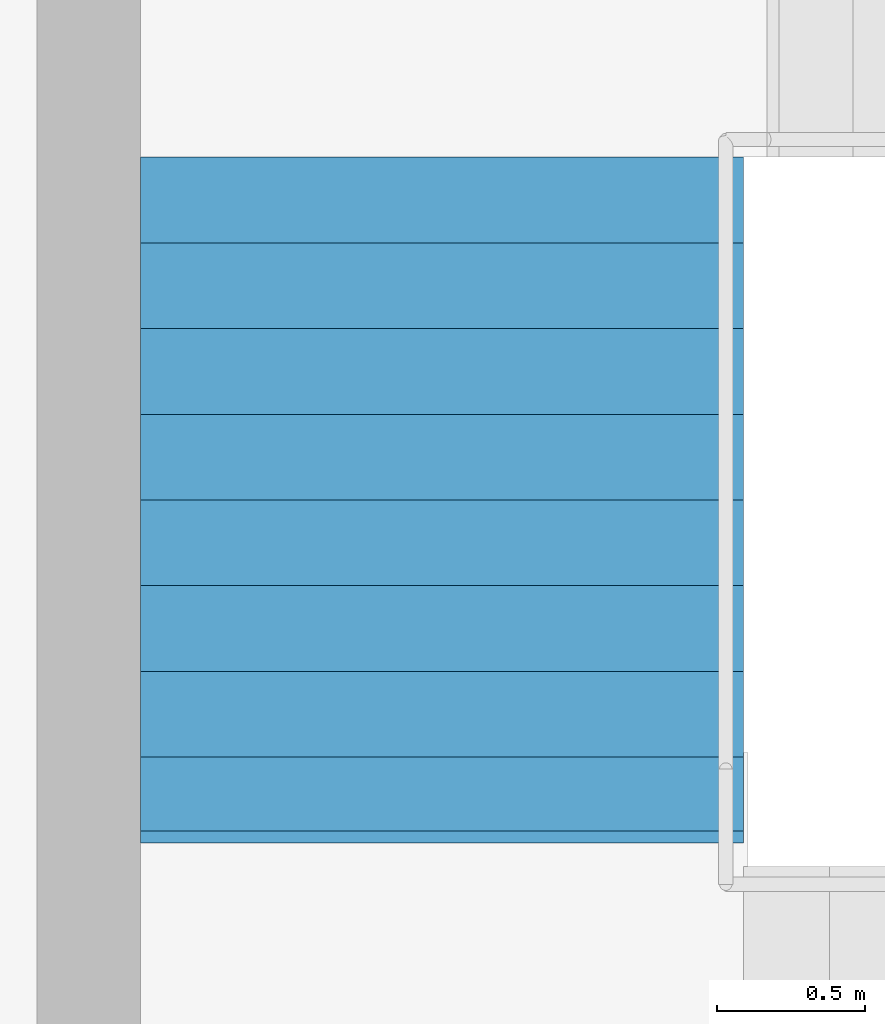
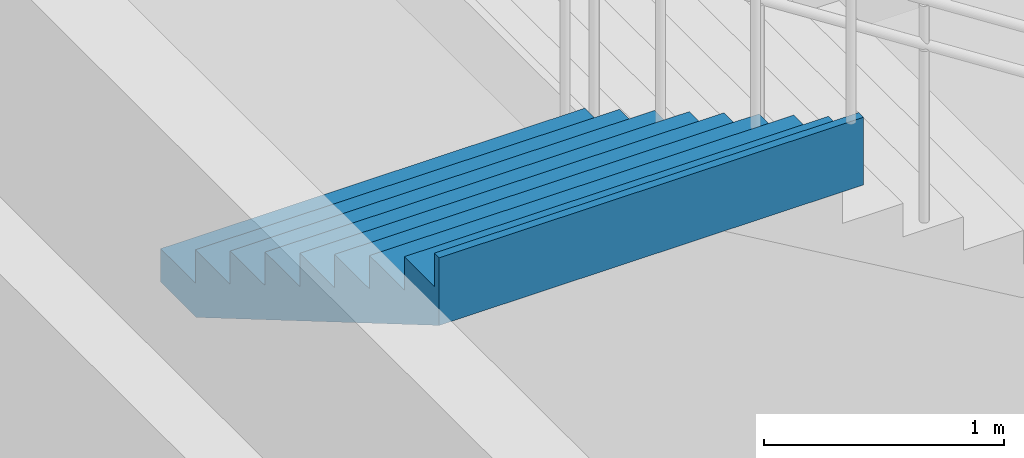
# One storey, part 39 of 46: 1 stair flight, 1 element without a shape of its own.
"""IFC4 building model written with IfcOpenShell, lengths in metres."""

import ifcopenshell
import ifcopenshell.guid

model = None  # the IFC model being written
_history = None  # IfcOwnerHistory: only IFC2X3 demands one
_inside = {}  # id of a spatial element -> (the spatial element, [elements in it])
_under = {}  # id of a project, library or spatial element -> (it, [spatial elements below it])
_declared = {}  # id of a project -> (the project, [libraries it declares])
_typed = {}  # id of a type object -> (the type object, [elements of that type])
_made_of = {}  # id of a material, layer set ... -> (it, [elements and type objects made of it])


def new_model(schema):
    """Start an empty IFC model of exactly this schema.

    Asked for "IFC4X3", IfcOpenShell would pick the latest addendum, in which some entities
    have other attributes; the version numbers below select the first issue.
    IFC2X3 requires an IfcOwnerHistory on every rooted entity: one is made here for all.
    """
    global model, _history
    if schema == "IFC4X3":
        model = ifcopenshell.file(schema_version=(4, 3, 0, 0))
    else:
        model = ifcopenshell.file(schema=schema)
    _inside.clear()
    _under.clear()
    _declared.clear()
    _typed.clear()
    _made_of.clear()
    _history = None
    if model.schema == "IFC2X3":
        org = make("IfcOrganization", Name="unknown")
        user = make(
            "IfcPersonAndOrganization",
            ThePerson=make("IfcPerson", FamilyName="unknown"),
            TheOrganization=org,
        )
        app = make(
            "IfcApplication",
            ApplicationDeveloper=org,
            Version="unknown",
            ApplicationFullName="unknown",
            ApplicationIdentifier="unknown",
        )
        _history = make(
            "IfcOwnerHistory",
            OwningUser=user,
            OwningApplication=app,
            ChangeAction="ADDED",
            CreationDate=0,
        )
    return model


def make(cls, **values):
    """One entity of the class cls with the attributes given. An attribute that is None is left unset."""
    return model.create_entity(
        cls, **{name: value for name, value in values.items() if value is not None}
    )


def rooted(cls, **values):
    """An entity with a GlobalId (a new one), such as an element, a storey or a relation."""
    return make(cls, GlobalId=ifcopenshell.guid.new(), OwnerHistory=_history, **values)


def si_unit(unit_type, name, prefix=None):
    """IfcSIUnit, for example si_unit("LENGTHUNIT", "METRE", prefix="MILLI")."""
    return make("IfcSIUnit", UnitType=unit_type, Prefix=prefix, Name=name)


def assignment(units):
    """IfcUnitAssignment: the units of a project."""
    return None if units is None else make("IfcUnitAssignment", Units=units)


def point(xyz):
    """IfcCartesianPoint."""
    return None if xyz is None else make("IfcCartesianPoint", Coordinates=xyz)


def direction(xyz):
    """IfcDirection."""
    return None if xyz is None else make("IfcDirection", DirectionRatios=xyz)


def frame(location, z_axis=None, x_axis=None):
    """IfcAxis2Placement3D, a coordinate frame: its origin and axes. An axis left out is left unset."""
    return make(
        "IfcAxis2Placement3D",
        Location=point(location),
        Axis=direction(z_axis),
        RefDirection=direction(x_axis),
    )


def origin():
    """The frame at (0, 0, 0) with its axes left unset."""
    return frame((0.0, 0.0, 0.0))


def place(relative_to, where):
    """IfcLocalPlacement: puts the frame where relative to a parent placement (None: the world)."""
    return make(
        "IfcLocalPlacement", PlacementRelTo=relative_to, RelativePlacement=where
    )


def context(
    kind, dimensions, precision=None, world=None, true_north=None, identifier=None
):
    """IfcGeometricRepresentationContext, for example the 3D "Model" context."""
    return make(
        "IfcGeometricRepresentationContext",
        ContextIdentifier=identifier,
        ContextType=kind,
        CoordinateSpaceDimension=dimensions,
        Precision=precision,
        WorldCoordinateSystem=world,
        TrueNorth=true_north,
    )


def subcontext(parent, identifier, kind, view, scale=None):
    """IfcGeometricRepresentationSubContext, for example "Body" below "Model"."""
    return make(
        "IfcGeometricRepresentationSubContext",
        ContextIdentifier=identifier,
        ContextType=kind,
        ParentContext=parent,
        TargetScale=scale,
        TargetView=view,
    )


def project(units=None, contexts=None):
    """IfcProject with its units and contexts."""
    return rooted(
        "IfcProject",
        Name="project",
        RepresentationContexts=contexts,
        UnitsInContext=assignment(units),
    )


def spatial(cls, under=None, at=None, **own):
    """A site, building, storey or space (cls), placed at a placement, below another one or the project."""
    s = rooted(cls, ObjectPlacement=at, **own)
    if under is not None:
        _under.setdefault(under.id(), (under, []))[1].append(s)
    return s


def point_list(points):
    """IfcCartesianPointList2D or 3D."""
    cls = (
        "IfcCartesianPointList2D" if len(points[0]) == 2 else "IfcCartesianPointList3D"
    )
    return make(cls, CoordList=points)


def triangles(points, corners, closed=None, point_numbers=None):
    """IfcTriangulatedFaceSet: each triangle names its three corners, points numbered from 1."""
    return make(
        "IfcTriangulatedFaceSet",
        Coordinates=point_list(points),
        Closed=closed,
        CoordIndex=corners,
        PnIndex=point_numbers,
    )


def shape(context_of_items, identifier, shape_type, items):
    """IfcShapeRepresentation: the items that make up one representation, for example the "Body"."""
    return make(
        "IfcShapeRepresentation",
        ContextOfItems=context_of_items,
        RepresentationIdentifier=identifier,
        RepresentationType=shape_type,
        Items=items,
    )


def material(Name=None, Category=None):
    """IfcMaterial."""
    return make("IfcMaterial", Name=Name, Category=Category)


def made_of(thing, what):
    """Note that an element or type object is made of a material, layer set ...; save() writes the relation."""
    if what is not None:
        _made_of.setdefault(what.id(), (what, []))[1].append(thing)
    return thing


def type_object(cls, material=None, **own):
    """A type object (cls), such as IfcWallType, which elements share."""
    return made_of(rooted(cls, **own), material)


def element(
    cls,
    number,
    at=None,
    inside=None,
    cuts=None,
    type_object=None,
    material=None,
    context=None,
    identifier="Body",
    shape_type=None,
    held_by="IfcProductDefinitionShape",
    body=None,
    shapes=None,
    **own,
):
    """One element of the class cls, such as IfcWall. Its Tag is "e" and its number.

    at: its placement. inside: the storey or other place that contains it. cuts: it is an
    opening in that element (IfcRelVoidsElement). A single representation is given by context,
    identifier, shape_type and body (its items); several are given by shapes. held_by: the class
    of the entity that holds the representations. save() writes the other relations.
    """
    e = rooted(cls, Tag="e%d" % number, ObjectPlacement=at, **own)
    if body is not None:
        shapes = [shape(context, identifier, shape_type, body)]
    if shapes is not None:
        e.Representation = make(held_by, Representations=shapes)
    if inside is not None:
        _inside.setdefault(inside.id(), (inside, []))[1].append(e)
    if cuts is not None:
        rooted(
            "IfcRelVoidsElement", RelatingBuildingElement=cuts, RelatedOpeningElement=e
        )
    if type_object is not None:
        _typed.setdefault(type_object.id(), (type_object, []))[1].append(e)
    return made_of(e, material)


def aggregate(whole, parts):
    """IfcRelAggregates: a whole, such as a stair, and the parts it consists of."""
    return rooted("IfcRelAggregates", RelatingObject=whole, RelatedObjects=parts)


def save(model, path):
    """Write the relations noted so far, then the file.

    IfcRelAggregates (storeys below a building ...), IfcRelContainedInSpatialStructure (elements
    in a storey), IfcRelDefinesByType, IfcRelAssociatesMaterial and IfcRelDeclares: one each for
    every whole, place, type object, material and project.
    """
    for whole, parts in _under.values():
        aggregate(whole, parts)
    for where, things in _inside.values():
        rooted(
            "IfcRelContainedInSpatialStructure",
            RelatedElements=things,
            RelatingStructure=where,
        )
    for kind, things in _typed.values():
        rooted("IfcRelDefinesByType", RelatedObjects=things, RelatingType=kind)
    for what, things in _made_of.values():
        rooted("IfcRelAssociatesMaterial", RelatedObjects=things, RelatingMaterial=what)
    for by, libraries in _declared.values():
        rooted("IfcRelDeclares", RelatingContext=by, RelatedDefinitions=libraries)
    model.write(path)


model = new_model("IFC4")

# Units and contexts
model_context = context("Model", 3, precision=1e-05, world=origin(), true_north=direction((0.0, 1.0)))
body_context = subcontext(model_context, "Body", "Model", "MODEL_VIEW")
ifc_project = project(units=[si_unit("LENGTHUNIT", "METRE"), si_unit("AREAUNIT", "SQUARE_METRE"), si_unit("VOLUMEUNIT", "CUBIC_METRE"), si_unit("PLANEANGLEUNIT", "RADIAN"), si_unit("MASSUNIT", "GRAM", prefix="KILO")], contexts=[model_context])

# Site, building, storey
site_placement = place(None, origin())
site = spatial("IfcSite", under=ifc_project, at=site_placement, CompositionType="ELEMENT")
building_placement = place(site_placement, origin())
building = spatial("IfcBuilding", under=site, at=building_placement, Name="Sillaruma Civic Art Gallery", CompositionType="ELEMENT")
storey_placement = place(building_placement, frame((0.0, 0.0, 16.320068359375)))
storey = spatial("IfcBuildingStorey", under=building, at=storey_placement, Name="L03", CompositionType="ELEMENT", Elevation=16.320068359375)

# Stair, stair flight
ifc_material = material(Name="Concrete H35 (35 MPa)", Category="concrete")
stair_type = type_object("IfcStairType", Name="STR-4F-36", PredefinedType="USERDEFINED", material=ifc_material)
stair_placement = place(storey_placement, origin())
stair = element("IfcStair", 1, at=stair_placement, inside=storey, type_object=stair_type, Name="Protected Exit Stair ST-02 (West Bar North) (L03)", ObjectType="THREE_RETURN_STAIR", PredefinedType="USERDEFINED")
stair_flight_type = type_object("IfcStairFlightType", Name="SFL-STR-9", PredefinedType="STRAIGHT", material=ifc_material)
stair_flight_placement = place(storey_placement, frame((63.780029296875, 85.35009765625, 4.58984375), z_axis=(0.0, 0.0, 1.0), x_axis=(0.0, -1.0, 0.0)))
stair_flight = element("IfcStairFlight", 2, at=stair_flight_placement, type_object=stair_flight_type, Name="ST-02 flight 4", NumberOfRisers=9, NumberOfTreads=8, PredefinedType="STRAIGHT", RiserHeight=0.17, TreadLength=0.29, context=body_context, shape_type="Tessellation", body=[
    triangles([(0.0, -1.02001953125, 0.0), (0.29, -1.02001953125, 0.0), (0.296482, -1.02001953125, 0.0), (0.58, -1.02001953125, 0.1662), (0.87, -1.02001953125, 0.3362), (1.16, -1.02001953125, 0.5062), (1.45, -1.02001953125, 0.6762), (1.74, -1.02001953125, 0.8462), (2.03, -1.02001953125, 1.0162), (2.280068, -1.02001953125, 1.162792), (2.320068, -1.02001953125, 1.18624), (2.320068, -1.02001953125, 1.53), (2.280068, -1.02001953125, 1.53), (2.280068, -1.02001953125, 1.36), (2.03, -1.02001953125, 1.36), (2.03, -1.02001953125, 1.19), (1.74, -1.02001953125, 1.19), (1.74, -1.02001953125, 1.02), (1.45, -1.02001953125, 1.02), (1.45, -1.02001953125, 0.85), (1.16, -1.02001953125, 0.85), (1.16, -1.02001953125, 0.68), (0.87, -1.02001953125, 0.68), (0.87, -1.02001953125, 0.51), (0.58, -1.02001953125, 0.51), (0.58, -1.02001953125, 0.34), (0.296482, -1.02001953125, 0.34), (0.29, -1.02001953125, 0.34), (0.29, -1.02001953125, 0.17), (0.0, -1.02001953125, 0.17), (0.0, -0.05, 0.0), (0.29, -0.05, 0.0), (0.296482, -0.05, 0.0), (0.58, -0.05, 0.1662), (0.87, -0.05, 0.3362), (1.16, -0.05, 0.5062), (1.45, -0.05, 0.6762), (1.74, -0.05, 0.8462), (2.03, -0.05, 1.0162), (2.280068, -0.05, 1.162792), (2.320068, -0.05, 1.18624), (2.320068, -0.05, 1.53), (2.280068, -0.05, 1.53), (2.280068, -0.05, 1.36), (2.03, -0.05, 1.36), (2.03, -0.05, 1.19), (1.74, -0.05, 1.19), (1.74, -0.05, 1.02), (1.45, -0.05, 1.02), (1.45, -0.05, 0.85), (1.16, -0.05, 0.85), (1.16, -0.05, 0.68), (0.87, -0.05, 0.68), (0.87, -0.05, 0.51), (0.58, -0.05, 0.51), (0.58, -0.05, 0.34), (0.296482, -0.05, 0.34), (0.29, -0.05, 0.34), (0.29, -0.05, 0.17), (0.0, -0.05, 0.17), (0.0, -0.0375, 0.0), (0.29, -0.0375, 0.0), (0.296482, -0.0375, 0.0), (0.58, -0.0375, 0.1662), (0.87, -0.0375, 0.3362), (1.16, -0.0375, 0.5062), (1.45, -0.0375, 0.6762), (1.74, -0.0375, 0.8462), (2.03, -0.0375, 1.0162), (2.280068, -0.0375, 1.162792), (2.320068, -0.0375, 1.18624), (2.320068, -0.0375, 1.53), (2.280068, -0.0375, 1.53), (2.280068, -0.0375, 1.36), (2.03, -0.0375, 1.36), (2.03, -0.0375, 1.19), (1.74, -0.0375, 1.19), (1.74, -0.0375, 1.02), (1.45, -0.0375, 1.02), (1.45, -0.0375, 0.85), (1.16, -0.0375, 0.85), (1.16, -0.0375, 0.68), (0.87, -0.0375, 0.68), (0.87, -0.0375, 0.51), (0.58, -0.0375, 0.51), (0.58, -0.0375, 0.34), (0.296482, -0.0375, 0.34), (0.29, -0.0375, 0.34), (0.29, -0.0375, 0.17), (0.0, -0.0375, 0.17), (0.0, -0.025, 0.0), (0.29, -0.025, 0.0), (0.296482, -0.025, 0.0), (0.58, -0.025, 0.1662), (0.87, -0.025, 0.3362), (1.16, -0.025, 0.5062), (1.45, -0.025, 0.6762), (1.74, -0.025, 0.8462), (2.03, -0.025, 1.0162), (2.280068, -0.025, 1.162792), (2.320068, -0.025, 1.18624), (2.320068, -0.025, 1.53), (2.280068, -0.025, 1.53), (2.280068, -0.025, 1.36), (2.03, -0.025, 1.36), (2.03, -0.025, 1.19), (1.74, -0.025, 1.19), (1.74, -0.025, 1.02), (1.45, -0.025, 1.02), (1.45, -0.025, 0.85), (1.16, -0.025, 0.85), (1.16, -0.025, 0.68), (0.87, -0.025, 0.68), (0.87, -0.025, 0.51), (0.58, -0.025, 0.51), (0.58, -0.025, 0.34), (0.296482, -0.025, 0.34), (0.29, -0.025, 0.34), (0.29, -0.025, 0.17), (0.0, -0.025, 0.17), (0.0, -0.0125, 0.0), (0.29, -0.0125, 0.0), (0.296482, -0.0125, 0.0), (0.58, -0.0125, 0.1662), (0.87, -0.0125, 0.3362), (1.16, -0.0125, 0.5062), (1.45, -0.0125, 0.6762), (1.74, -0.0125, 0.8462), (2.03, -0.0125, 1.0162), (2.280068, -0.0125, 1.162792), (2.320068, -0.0125, 1.18624), (2.320068, -0.0125, 1.53), (2.280068, -0.0125, 1.53), (2.280068, -0.0125, 1.36), (2.03, -0.0125, 1.36), (2.03, -0.0125, 1.19), (1.74, -0.0125, 1.19), (1.74, -0.0125, 1.02), (1.45, -0.0125, 1.02), (1.45, -0.0125, 0.85), (1.16, -0.0125, 0.85), (1.16, -0.0125, 0.68), (0.87, -0.0125, 0.68), (0.87, -0.0125, 0.51), (0.58, -0.0125, 0.51), (0.58, -0.0125, 0.34), (0.296482, -0.0125, 0.34), (0.29, -0.0125, 0.34), (0.29, -0.0125, 0.17), (0.0, -0.0125, 0.17), (0.0, 0.0, 0.0), (0.29, 0.0, 0.0), (0.296482, 0.0, 0.0), (0.58, 0.0, 0.1662), (0.87, 0.0, 0.3362), (1.16, 0.0, 0.5062), (1.45, 0.0, 0.6762), (1.74, 0.0, 0.8462), (2.03, 0.0, 1.0162), (2.280068, 0.0, 1.162792), (2.320068, 0.0, 1.18624), (2.320068, 0.0, 1.53), (2.280068, 0.0, 1.53), (2.280068, 0.0, 1.36), (2.03, 0.0, 1.36), (2.03, 0.0, 1.19), (1.74, 0.0, 1.19), (1.74, 0.0, 1.02), (1.45, 0.0, 1.02), (1.45, 0.0, 0.85), (1.16, 0.0, 0.85), (1.16, 0.0, 0.68), (0.87, 0.0, 0.68), (0.87, 0.0, 0.51), (0.58, 0.0, 0.51), (0.58, 0.0, 0.34), (0.296482, 0.0, 0.34), (0.29, 0.0, 0.34), (0.29, 0.0, 0.17), (0.0, 0.0, 0.17), (0.0, 0.0125, 0.0), (0.29, 0.0125, 0.0), (0.296482, 0.0125, 0.0), (0.58, 0.0125, 0.1662), (0.87, 0.0125, 0.3362), (1.16, 0.0125, 0.5062), (1.45, 0.0125, 0.6762), (1.74, 0.0125, 0.8462), (2.03, 0.0125, 1.0162), (2.280068, 0.0125, 1.162792), (2.320068, 0.0125, 1.18624), (2.320068, 0.0125, 1.53), (2.280068, 0.0125, 1.53), (2.280068, 0.0125, 1.36), (2.03, 0.0125, 1.36), (2.03, 0.0125, 1.19), (1.74, 0.0125, 1.19), (1.74, 0.0125, 1.02), (1.45, 0.0125, 1.02), (1.45, 0.0125, 0.85), (1.16, 0.0125, 0.85), (1.16, 0.0125, 0.68), (0.87, 0.0125, 0.68), (0.87, 0.0125, 0.51), (0.58, 0.0125, 0.51), (0.58, 0.0125, 0.34), (0.296482, 0.0125, 0.34), (0.29, 0.0125, 0.34), (0.29, 0.0125, 0.17), (0.0, 0.0125, 0.17), (0.0, 0.025, 0.0), (0.29, 0.025, 0.0), (0.296482, 0.025, 0.0), (0.58, 0.025, 0.1662), (0.87, 0.025, 0.3362), (1.16, 0.025, 0.5062), (1.45, 0.025, 0.6762), (1.74, 0.025, 0.8462), (2.03, 0.025, 1.0162), (2.280068, 0.025, 1.162792), (2.320068, 0.025, 1.18624), (2.320068, 0.025, 1.53), (2.280068, 0.025, 1.53), (2.280068, 0.025, 1.36), (2.03, 0.025, 1.36), (2.03, 0.025, 1.19), (1.74, 0.025, 1.19), (1.74, 0.025, 1.02), (1.45, 0.025, 1.02), (1.45, 0.025, 0.85), (1.16, 0.025, 0.85), (1.16, 0.025, 0.68), (0.87, 0.025, 0.68), (0.87, 0.025, 0.51), (0.58, 0.025, 0.51), (0.58, 0.025, 0.34), (0.296482, 0.025, 0.34), (0.29, 0.025, 0.34), (0.29, 0.025, 0.17), (0.0, 0.025, 0.17), (0.0, 0.0375, 0.0), (0.29, 0.0375, 0.0), (0.296482, 0.0375, 0.0), (0.58, 0.0375, 0.1662), (0.87, 0.0375, 0.3362), (1.16, 0.0375, 0.5062), (1.45, 0.0375, 0.6762), (1.74, 0.0375, 0.8462), (2.03, 0.0375, 1.0162), (2.280068, 0.0375, 1.162792), (2.320068, 0.0375, 1.18624), (2.320068, 0.0375, 1.53), (2.280068, 0.0375, 1.53), (2.280068, 0.0375, 1.36), (2.03, 0.0375, 1.36), (2.03, 0.0375, 1.19), (1.74, 0.0375, 1.19), (1.74, 0.0375, 1.02), (1.45, 0.0375, 1.02), (1.45, 0.0375, 0.85), (1.16, 0.0375, 0.85), (1.16, 0.0375, 0.68), (0.87, 0.0375, 0.68), (0.87, 0.0375, 0.51), (0.58, 0.0375, 0.51), (0.58, 0.0375, 0.34), (0.296482, 0.0375, 0.34), (0.29, 0.0375, 0.34), (0.29, 0.0375, 0.17), (0.0, 0.0375, 0.17), (0.0, 0.05, 0.0), (0.29, 0.05, 0.0), (0.296482, 0.05, 0.0), (0.58, 0.05, 0.1662), (0.87, 0.05, 0.3362), (1.16, 0.05, 0.5062), (1.45, 0.05, 0.6762), (1.74, 0.05, 0.8462), (2.03, 0.05, 1.0162), (2.280068, 0.05, 1.162792), (2.320068, 0.05, 1.18624), (2.320068, 0.05, 1.53), (2.280068, 0.05, 1.53), (2.280068, 0.05, 1.36), (2.03, 0.05, 1.36), (2.03, 0.05, 1.19), (1.74, 0.05, 1.19), (1.74, 0.05, 1.02), (1.45, 0.05, 1.02), (1.45, 0.05, 0.85), (1.16, 0.05, 0.85), (1.16, 0.05, 0.68), (0.87, 0.05, 0.68), (0.87, 0.05, 0.51), (0.58, 0.05, 0.51), (0.58, 0.05, 0.34), (0.296482, 0.05, 0.34), (0.29, 0.05, 0.34), (0.29, 0.05, 0.17), (0.0, 0.05, 0.17), (0.0, 1.02001953125, 0.0), (0.29, 1.02001953125, 0.0), (0.296482, 1.02001953125, 0.0), (0.58, 1.02001953125, 0.1662), (0.87, 1.02001953125, 0.3362), (1.16, 1.02001953125, 0.5062), (1.45, 1.02001953125, 0.6762), (1.74, 1.02001953125, 0.8462), (2.03, 1.02001953125, 1.0162), (2.280068, 1.02001953125, 1.162792), (2.320068, 1.02001953125, 1.18624), (2.320068, 1.02001953125, 1.53), (2.280068, 1.02001953125, 1.53), (2.280068, 1.02001953125, 1.36), (2.03, 1.02001953125, 1.36), (2.03, 1.02001953125, 1.19), (1.74, 1.02001953125, 1.19), (1.74, 1.02001953125, 1.02), (1.45, 1.02001953125, 1.02), (1.45, 1.02001953125, 0.85), (1.16, 1.02001953125, 0.85), (1.16, 1.02001953125, 0.68), (0.87, 1.02001953125, 0.68), (0.87, 1.02001953125, 0.51), (0.58, 1.02001953125, 0.51), (0.58, 1.02001953125, 0.34), (0.296482, 1.02001953125, 0.34), (0.29, 1.02001953125, 0.34), (0.29, 1.02001953125, 0.17), (0.0, 1.02001953125, 0.17)], [[1, 2, 29], [1, 29, 30], [2, 3, 27], [2, 27, 29], [29, 27, 28], [3, 4, 26], [3, 26, 27], [4, 5, 24], [4, 24, 26], [26, 24, 25], [5, 6, 22], [5, 22, 24], [24, 22, 23], [6, 7, 20], [6, 20, 22], [22, 20, 21], [7, 8, 18], [7, 18, 20], [20, 18, 19], [8, 9, 16], [8, 16, 18], [18, 16, 17], [9, 10, 14], [9, 14, 16], [16, 14, 15], [10, 11, 12], [10, 12, 14], [14, 12, 13], [329, 302, 301], [330, 329, 301], [327, 303, 302], [329, 327, 302], [328, 327, 329], [326, 304, 303], [327, 326, 303], [324, 305, 304], [326, 324, 304], [325, 324, 326], [322, 306, 305], [324, 322, 305], [323, 322, 324], [320, 307, 306], [322, 320, 306], [321, 320, 322], [318, 308, 307], [320, 318, 307], [319, 318, 320], [316, 309, 308], [318, 316, 308], [317, 316, 318], [314, 310, 309], [316, 314, 309], [315, 314, 316], [312, 311, 310], [314, 312, 310], [313, 312, 314], [2, 1, 31], [2, 31, 32], [3, 2, 32], [3, 32, 33], [4, 3, 33], [4, 33, 34], [5, 4, 34], [5, 34, 35], [6, 5, 35], [6, 35, 36], [7, 6, 36], [7, 36, 37], [8, 7, 37], [8, 37, 38], [9, 8, 38], [9, 38, 39], [10, 9, 39], [10, 39, 40], [11, 10, 40], [11, 40, 41], [12, 11, 41], [12, 41, 42], [13, 12, 42], [13, 42, 43], [14, 13, 43], [14, 43, 44], [15, 14, 44], [15, 44, 45], [16, 15, 45], [16, 45, 46], [17, 16, 46], [17, 46, 47], [18, 17, 47], [18, 47, 48], [19, 18, 48], [19, 48, 49], [20, 19, 49], [20, 49, 50], [21, 20, 50], [21, 50, 51], [22, 21, 51], [22, 51, 52], [23, 22, 52], [23, 52, 53], [24, 23, 53], [24, 53, 54], [25, 24, 54], [25, 54, 55], [26, 25, 55], [26, 55, 56], [27, 26, 56], [27, 56, 57], [28, 27, 57], [28, 57, 58], [29, 28, 58], [29, 58, 59], [30, 29, 59], [30, 59, 60], [1, 30, 60], [1, 60, 31], [32, 31, 61], [32, 61, 62], [33, 32, 62], [33, 62, 63], [34, 33, 63], [34, 63, 64], [35, 34, 64], [35, 64, 65], [36, 35, 65], [36, 65, 66], [37, 36, 66], [37, 66, 67], [38, 37, 67], [38, 67, 68], [39, 38, 68], [39, 68, 69], [40, 39, 69], [40, 69, 70], [41, 40, 70], [41, 70, 71], [42, 41, 71], [42, 71, 72], [43, 42, 72], [43, 72, 73], [44, 43, 73], [44, 73, 74], [45, 44, 74], [45, 74, 75], [46, 45, 75], [46, 75, 76], [47, 46, 76], [47, 76, 77], [48, 47, 77], [48, 77, 78], [49, 48, 78], [49, 78, 79], [50, 49, 79], [50, 79, 80], [51, 50, 80], [51, 80, 81], [52, 51, 81], [52, 81, 82], [53, 52, 82], [53, 82, 83], [54, 53, 83], [54, 83, 84], [55, 54, 84], [55, 84, 85], [56, 55, 85], [56, 85, 86], [57, 56, 86], [57, 86, 87], [58, 57, 87], [58, 87, 88], [59, 58, 88], [59, 88, 89], [60, 59, 89], [60, 89, 90], [31, 60, 90], [31, 90, 61], [62, 61, 91], [62, 91, 92], [63, 62, 92], [63, 92, 93], [64, 63, 93], [64, 93, 94], [65, 64, 94], [65, 94, 95], [66, 65, 95], [66, 95, 96], [67, 66, 96], [67, 96, 97], [68, 67, 97], [68, 97, 98], [69, 68, 98], [69, 98, 99], [70, 69, 99], [70, 99, 100], [71, 70, 100], [71, 100, 101], [72, 71, 101], [72, 101, 102], [73, 72, 102], [73, 102, 103], [74, 73, 103], [74, 103, 104], [75, 74, 104], [75, 104, 105], [76, 75, 105], [76, 105, 106], [77, 76, 106], [77, 106, 107], [78, 77, 107], [78, 107, 108], [79, 78, 108], [79, 108, 109], [80, 79, 109], [80, 109, 110], [81, 80, 110], [81, 110, 111], [82, 81, 111], [82, 111, 112], [83, 82, 112], [83, 112, 113], [84, 83, 113], [84, 113, 114], [85, 84, 114], [85, 114, 115], [86, 85, 115], [86, 115, 116], [87, 86, 116], [87, 116, 117], [88, 87, 117], [88, 117, 118], [89, 88, 118], [89, 118, 119], [90, 89, 119], [90, 119, 120], [61, 90, 120], [61, 120, 91], [92, 91, 121], [92, 121, 122], [93, 92, 122], [93, 122, 123], [94, 93, 123], [94, 123, 124], [95, 94, 124], [95, 124, 125], [96, 95, 125], [96, 125, 126], [97, 96, 126], [97, 126, 127], [98, 97, 127], [98, 127, 128], [99, 98, 128], [99, 128, 129], [100, 99, 129], [100, 129, 130], [101, 100, 130], [101, 130, 131], [102, 101, 131], [102, 131, 132], [103, 102, 132], [103, 132, 133], [104, 103, 133], [104, 133, 134], [105, 104, 134], [105, 134, 135], [106, 105, 135], [106, 135, 136], [107, 106, 136], [107, 136, 137], [108, 107, 137], [108, 137, 138], [109, 108, 138], [109, 138, 139], [110, 109, 139], [110, 139, 140], [111, 110, 140], [111, 140, 141], [112, 111, 141], [112, 141, 142], [113, 112, 142], [113, 142, 143], [114, 113, 143], [114, 143, 144], [115, 114, 144], [115, 144, 145], [116, 115, 145], [116, 145, 146], [117, 116, 146], [117, 146, 147], [118, 117, 147], [118, 147, 148], [119, 118, 148], [119, 148, 149], [120, 119, 149], [120, 149, 150], [91, 120, 150], [91, 150, 121], [122, 121, 151], [122, 151, 152], [123, 122, 152], [123, 152, 153], [124, 123, 153], [124, 153, 154], [125, 124, 154], [125, 154, 155], [126, 125, 155], [126, 155, 156], [127, 126, 156], [127, 156, 157], [128, 127, 157], [128, 157, 158], [129, 128, 158], [129, 158, 159], [130, 129, 159], [130, 159, 160], [131, 130, 160], [131, 160, 161], [132, 131, 161], [132, 161, 162], [133, 132, 162], [133, 162, 163], [134, 133, 163], [134, 163, 164], [135, 134, 164], [135, 164, 165], [136, 135, 165], [136, 165, 166], [137, 136, 166], [137, 166, 167], [138, 137, 167], [138, 167, 168], [139, 138, 168], [139, 168, 169], [140, 139, 169], [140, 169, 170], [141, 140, 170], [141, 170, 171], [142, 141, 171], [142, 171, 172], [143, 142, 172], [143, 172, 173], [144, 143, 173], [144, 173, 174], [145, 144, 174], [145, 174, 175], [146, 145, 175], [146, 175, 176], [147, 146, 176], [147, 176, 177], [148, 147, 177], [148, 177, 178], [149, 148, 178], [149, 178, 179], [150, 149, 179], [150, 179, 180], [121, 150, 180], [121, 180, 151], [152, 151, 181], [152, 181, 182], [153, 152, 182], [153, 182, 183], [154, 153, 183], [154, 183, 184], [155, 154, 184], [155, 184, 185], [156, 155, 185], [156, 185, 186], [157, 156, 186], [157, 186, 187], [158, 157, 187], [158, 187, 188], [159, 158, 188], [159, 188, 189], [160, 159, 189], [160, 189, 190], [161, 160, 190], [161, 190, 191], [162, 161, 191], [162, 191, 192], [163, 162, 192], [163, 192, 193], [164, 163, 193], [164, 193, 194], [165, 164, 194], [165, 194, 195], [166, 165, 195], [166, 195, 196], [167, 166, 196], [167, 196, 197], [168, 167, 197], [168, 197, 198], [169, 168, 198], [169, 198, 199], [170, 169, 199], [170, 199, 200], [171, 170, 200], [171, 200, 201], [172, 171, 201], [172, 201, 202], [173, 172, 202], [173, 202, 203], [174, 173, 203], [174, 203, 204], [175, 174, 204], [175, 204, 205], [176, 175, 205], [176, 205, 206], [177, 176, 206], [177, 206, 207], [178, 177, 207], [178, 207, 208], [179, 178, 208], [179, 208, 209], [180, 179, 209], [180, 209, 210], [151, 180, 210], [151, 210, 181], [182, 181, 211], [182, 211, 212], [183, 182, 212], [183, 212, 213], [184, 183, 213], [184, 213, 214], [185, 184, 214], [185, 214, 215], [186, 185, 215], [186, 215, 216], [187, 186, 216], [187, 216, 217], [188, 187, 217], [188, 217, 218], [189, 188, 218], [189, 218, 219], [190, 189, 219], [190, 219, 220], [191, 190, 220], [191, 220, 221], [192, 191, 221], [192, 221, 222], [193, 192, 222], [193, 222, 223], [194, 193, 223], [194, 223, 224], [195, 194, 224], [195, 224, 225], [196, 195, 225], [196, 225, 226], [197, 196, 226], [197, 226, 227], [198, 197, 227], [198, 227, 228], [199, 198, 228], [199, 228, 229], [200, 199, 229], [200, 229, 230], [201, 200, 230], [201, 230, 231], [202, 201, 231], [202, 231, 232], [203, 202, 232], [203, 232, 233], [204, 203, 233], [204, 233, 234], [205, 204, 234], [205, 234, 235], [206, 205, 235], [206, 235, 236], [207, 206, 236], [207, 236, 237], [208, 207, 237], [208, 237, 238], [209, 208, 238], [209, 238, 239], [210, 209, 239], [210, 239, 240], [181, 210, 240], [181, 240, 211], [212, 211, 241], [212, 241, 242], [213, 212, 242], [213, 242, 243], [214, 213, 243], [214, 243, 244], [215, 214, 244], [215, 244, 245], [216, 215, 245], [216, 245, 246], [217, 216, 246], [217, 246, 247], [218, 217, 247], [218, 247, 248], [219, 218, 248], [219, 248, 249], [220, 219, 249], [220, 249, 250], [221, 220, 250], [221, 250, 251], [222, 221, 251], [222, 251, 252], [223, 222, 252], [223, 252, 253], [224, 223, 253], [224, 253, 254], [225, 224, 254], [225, 254, 255], [226, 225, 255], [226, 255, 256], [227, 226, 256], [227, 256, 257], [228, 227, 257], [228, 257, 258], [229, 228, 258], [229, 258, 259], [230, 229, 259], [230, 259, 260], [231, 230, 260], [231, 260, 261], [232, 231, 261], [232, 261, 262], [233, 232, 262], [233, 262, 263], [234, 233, 263], [234, 263, 264], [235, 234, 264], [235, 264, 265], [236, 235, 265], [236, 265, 266], [237, 236, 266], [237, 266, 267], [238, 237, 267], [238, 267, 268], [239, 238, 268], [239, 268, 269], [240, 239, 269], [240, 269, 270], [211, 240, 270], [211, 270, 241], [242, 241, 271], [242, 271, 272], [243, 242, 272], [243, 272, 273], [244, 243, 273], [244, 273, 274], [245, 244, 274], [245, 274, 275], [246, 245, 275], [246, 275, 276], [247, 246, 276], [247, 276, 277], [248, 247, 277], [248, 277, 278], [249, 248, 278], [249, 278, 279], [250, 249, 279], [250, 279, 280], [251, 250, 280], [251, 280, 281], [252, 251, 281], [252, 281, 282], [253, 252, 282], [253, 282, 283], [254, 253, 283], [254, 283, 284], [255, 254, 284], [255, 284, 285], [256, 255, 285], [256, 285, 286], [257, 256, 286], [257, 286, 287], [258, 257, 287], [258, 287, 288], [259, 258, 288], [259, 288, 289], [260, 259, 289], [260, 289, 290], [261, 260, 290], [261, 290, 291], [262, 261, 291], [262, 291, 292], [263, 262, 292], [263, 292, 293], [264, 263, 293], [264, 293, 294], [265, 264, 294], [265, 294, 295], [266, 265, 295], [266, 295, 296], [267, 266, 296], [267, 296, 297], [268, 267, 297], [268, 297, 298], [269, 268, 298], [269, 298, 299], [270, 269, 299], [270, 299, 300], [241, 270, 300], [241, 300, 271], [272, 271, 301], [272, 301, 302], [273, 272, 302], [273, 302, 303], [274, 273, 303], [274, 303, 304], [275, 274, 304], [275, 304, 305], [276, 275, 305], [276, 305, 306], [277, 276, 306], [277, 306, 307], [278, 277, 307], [278, 307, 308], [279, 278, 308], [279, 308, 309], [280, 279, 309], [280, 309, 310], [281, 280, 310], [281, 310, 311], [282, 281, 311], [282, 311, 312], [283, 282, 312], [283, 312, 313], [284, 283, 313], [284, 313, 314], [285, 284, 314], [285, 314, 315], [286, 285, 315], [286, 315, 316], [287, 286, 316], [287, 316, 317], [288, 287, 317], [288, 317, 318], [289, 288, 318], [289, 318, 319], [290, 289, 319], [290, 319, 320], [291, 290, 320], [291, 320, 321], [292, 291, 321], [292, 321, 322], [293, 292, 322], [293, 322, 323], [294, 293, 323], [294, 323, 324], [295, 294, 324], [295, 324, 325], [296, 295, 325], [296, 325, 326], [297, 296, 326], [297, 326, 327], [298, 297, 327], [298, 327, 328], [299, 298, 328], [299, 328, 329], [300, 299, 329], [300, 329, 330], [271, 300, 330], [271, 330, 301]], closed=True),
])
aggregate(stair, [stair_flight])

save(model, "model.ifc")
